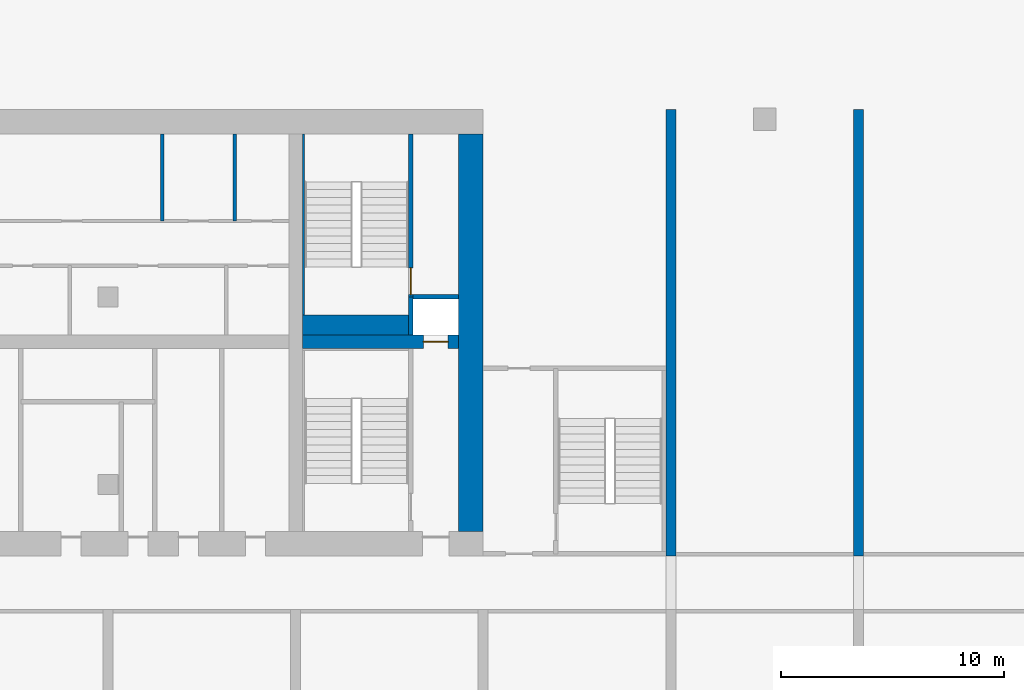
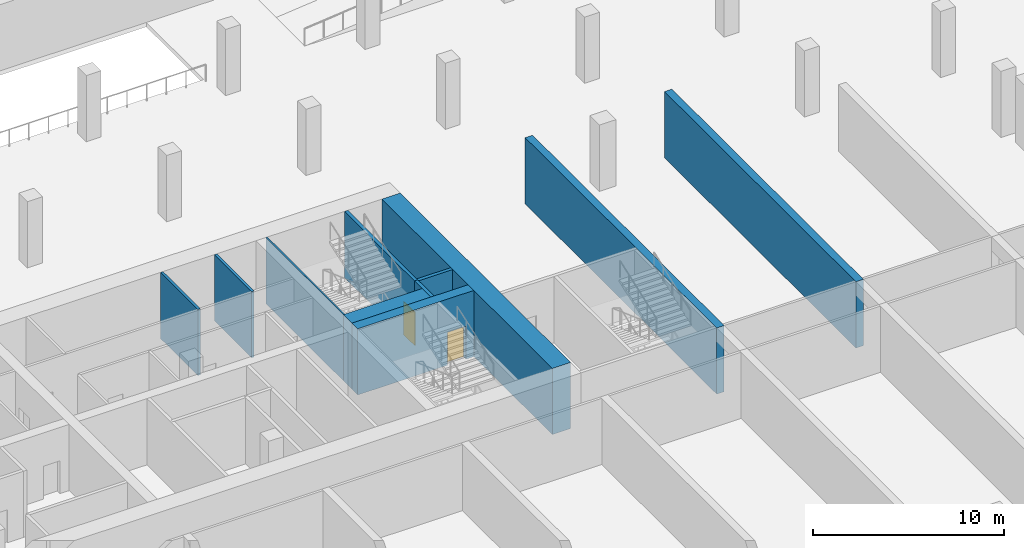
# One storey, part 8 of 12: 11 walls, 2 doors, 2 openings.
"""IFC4 building model written with IfcOpenShell, lengths in metres."""

from ifc_helpers import new_model, si_unit, direction, frame, frame_2d, origin, place, context, subcontext, project, spatial, rectangle, extrude, source, transform, mapped, material, layer, layer_set, type_object, element, fill, save


model = new_model("IFC4")

# Units and contexts
model_context = context("Model", 3, precision=1e-05, world=origin(), true_north=direction((0.0, 1.0)))
body_context = subcontext(model_context, "Body", "Model", "MODEL_VIEW")
ifc_project = project(units=[si_unit("LENGTHUNIT", "METRE"), si_unit("AREAUNIT", "SQUARE_METRE"), si_unit("VOLUMEUNIT", "CUBIC_METRE"), si_unit("PLANEANGLEUNIT", "RADIAN"), si_unit("MASSUNIT", "GRAM", prefix="KILO")], contexts=[model_context])

# Site, building, storey
site_placement = place(None, origin())
site = spatial("IfcSite", under=ifc_project, at=site_placement, CompositionType="ELEMENT")
building_placement = place(site_placement, origin())
building = spatial("IfcBuilding", under=site, at=building_placement, Name="Vanashikhar Sky Hotel", CompositionType="ELEMENT")
storey_placement = place(building_placement, frame((0.0, 0.0, -4.5)))
storey = spatial("IfcBuildingStorey", under=building, at=storey_placement, Name="B1", CompositionType="ELEMENT", Elevation=-4.5)

# Wall
ifc_material_1 = material(Name="Concrete M80", Category="concrete")
ifc_layer_1 = layer(ifc_material_1, 1.10009765625)
ifc_layer_set_1 = layer_set([ifc_layer_1], Name="RC core shell wall 1100 Concrete M80")
wall_type_1 = type_object("IfcWallType", Name="RC core shell wall 1100 Concrete M80", PredefinedType="SHEAR", material=ifc_layer_set_1)
shared_shape_1 = source(origin(), body_context, "Body", "SweptSolid", [
    extrude(rectangle(XDim=17.7998046875, YDim=1.10009765625, at=frame_2d((8.89990234375, 0.0))), origin(), (0.0, 0.0, 1.0), 4.219970703125),
])
wall_1_placement = place(storey_placement, frame((75.050048828125, 23.10009765625, 0.0), z_axis=(0.0, 0.0, 1.0), x_axis=(0.0, 1.0, 0.0)))
element("IfcWall", 1, at=wall_1_placement, inside=storey, type_object=wall_type_1, Name="KW-B1-KE", PredefinedType="SHEAR", context=body_context, shape_type="MappedRepresentation", body=[
    mapped(shared_shape_1, transform((0.0, 0.0, 0.0), scale=1.0)),
])

# Wall, opening, door
ifc_layer_2 = layer(ifc_material_1, 0.60009765625)
ifc_layer_set_2 = layer_set([ifc_layer_2], Name="RC core inner wall 600 Concrete M80")
wall_type_2 = type_object("IfcWallType", Name="RC core inner wall 600 Concrete M80", PredefinedType="SHEAR", material=ifc_layer_set_2)
shared_shape_2 = source(origin(), body_context, "Body", "SweptSolid", [
    extrude(rectangle(XDim=7.0, YDim=0.60009765625, at=frame_2d((3.5, 0.0))), origin(), (0.0, 0.0, 1.0), 4.219970703125),
])
wall_2_placement = place(storey_placement, frame((67.5, 31.60009765625, 0.0), z_axis=(0.0, 0.0, 1.0), x_axis=(1.0, 0.0, 0.0)))
wall_2 = element("IfcWall", 2, at=wall_2_placement, inside=storey, type_object=wall_type_2, Name="KW-B1-KY4", PredefinedType="SHEAR", context=body_context, shape_type="MappedRepresentation", body=[
    mapped(shared_shape_2, transform((0.0, 0.0, 0.0), scale=1.0)),
])
shared_shape_3 = source(origin(), body_context, "Body", "SweptSolid", [
    extrude(rectangle(XDim=1.10009765625, YDim=2.10009765625, at=frame_2d((0.550048828125, 1.050048828125))), frame((0.0, 0.31005859375, 0.0), z_axis=(0.0, -1.0, 0.0), x_axis=(1.0, 0.0, 0.0)), (0.0, 0.0, 1.0), 0.6201171875),
])
opening_1_placement = place(wall_2_placement, frame((5.425048828125, 0.0, 0.0)))
opening_1 = element("IfcOpeningElement", 3, at=opening_1_placement, cuts=wall_2, Name="Opening LD", PredefinedType="OPENING", context=body_context, shape_type="MappedRepresentation", body=[
    mapped(shared_shape_3, transform((0.0, 0.0, 0.0), scale=1.0)),
])
ifc_material_2 = material(Name="Stainless steel", Category="steel")
door_type_1 = type_object("IfcDoorType", Name="Lift landing door 1100", OperationType="NOTDEFINED", PredefinedType="DOOR", material=ifc_material_2)
shared_shape_4 = source(origin(), body_context, "Body", "SweptSolid", [
    extrude(rectangle(XDim=1.10009765625, YDim=2.10009765625, at=frame_2d((0.550048828125, 1.050048828125))), frame((0.0, 0.02490234375, 0.0), z_axis=(0.0, -1.0, 0.0), x_axis=(1.0, 0.0, 0.0)), (0.0, 0.0, 1.0), 0.050048828125),
])
door_1_placement = place(opening_1_placement, origin())
door_1 = element("IfcDoor", 4, at=door_1_placement, inside=storey, type_object=door_type_1, Name="Lift landing door 1100", OperationType="SLIDING_TO_RIGHT", OverallHeight=2.10009765625, OverallWidth=1.10009765625, PredefinedType="DOOR", context=body_context, shape_type="MappedRepresentation", body=[
    mapped(shared_shape_4, transform((0.0, 0.0, 0.0), scale=1.0)),
])
fill(opening_1, door_1)

# Walls
ifc_layer_3 = layer(ifc_material_1, 0.449951171875)
ifc_layer_set_3 = layer_set([ifc_layer_3], Name="RC shear wall 450 Concrete M80")
wall_type_3 = type_object("IfcWallType", Name="RC shear wall 450 Concrete M80", PredefinedType="SHEAR", material=ifc_layer_set_3)
shared_shape_5 = source(origin(), body_context, "Body", "SweptSolid", [
    extrude(rectangle(XDim=20.0, YDim=0.449951171875, at=frame_2d((10.0, 0.0))), origin(), (0.0, 0.0, 1.0), 4.219970703125),
])
for number, where, z_axis, x_axis, name in (
    (5, (84.0, 22.0, 0.0), (0.0, 0.0, 1.0), (0.0, 1.0, 0.0), "CW-B1-XW11-2"),
    (6, (92.39990234375, 22.0, 0.0), (0.0, 0.0, 1.0), (0.0, 1.0, 0.0), "CW-B1-XW12-2"),
):
    element("IfcWall", number, at=place(storey_placement, frame(where, z_axis=z_axis, x_axis=x_axis)), inside=storey, type_object=wall_type_3, Name=name, PredefinedType="SHEAR", context=body_context, shape_type="MappedRepresentation", body=[
        mapped(shared_shape_5, transform((0.0, 0.0, 0.0), scale=1.0)),
    ])
ifc_material_3 = material(Name="Gypsum board partition")
ifc_layer_4 = layer(ifc_material_3, 0.14990234375)
ifc_layer_set_4 = layer_set([ifc_layer_4], Name="Service partition 150")
wall_type_4 = type_object("IfcWallType", Name="Service partition 150", PredefinedType="PARTITIONING", material=ifc_layer_set_4)
shared_shape_6 = source(origin(), body_context, "Body", "SweptSolid", [
    extrude(rectangle(XDim=3.89990234375, YDim=0.14990234375, at=frame_2d((1.949951171875, 0.0))), origin(), (0.0, 0.0, 1.0), 4.219970703125),
])
for number, where, z_axis, x_axis, name in (
    (7, (64.469970703125, 37.0, 0.0), (0.0, 0.0, 1.0), (0.0, 1.0, 0.0), "Service partition 150"),
    (8, (61.22998046875, 37.0, 0.0), (0.0, 0.0, 1.0), (0.0, 1.0, 0.0), "Service partition 150"),
):
    element("IfcWall", number, at=place(storey_placement, frame(where, z_axis=z_axis, x_axis=x_axis)), inside=storey, type_object=wall_type_4, Name=name, PredefinedType="PARTITIONING", context=body_context, shape_type="MappedRepresentation", body=[
        mapped(shared_shape_6, transform((0.0, 0.0, 0.0), scale=1.0)),
    ])
ifc_material_4 = material(Name="Concrete M40", Category="concrete")
ifc_layer_5 = layer(ifc_material_4, 0.199951171875)
ifc_layer_set_5 = layer_set([ifc_layer_5], Name="Shaft wall 200")
wall_type_5 = type_object("IfcWallType", Name="Shaft wall 200", PredefinedType="SOLIDWALL", material=ifc_layer_set_5)
shared_shape_7 = source(origin(), body_context, "Body", "SweptSolid", [
    extrude(rectangle(XDim=1.7001953125, YDim=0.199951171875, at=frame_2d((0.85009765625, 0.0))), origin(), (0.0, 0.0, 1.0), 4.219970703125),
])
wall_3_placement = place(storey_placement, frame((72.35009765625, 31.89990234375, 0.0), z_axis=(0.0, 0.0, 1.0), x_axis=(0.0, 1.0, 0.0)))
element("IfcWall", 9, at=wall_3_placement, inside=storey, type_object=wall_type_5, Name="Shaft wall 200", PredefinedType="SOLIDWALL", context=body_context, shape_type="MappedRepresentation", body=[
    mapped(shared_shape_7, transform((0.0, 0.0, 0.0), scale=1.0)),
])
shared_shape_8 = source(origin(), body_context, "Body", "SweptSolid", [
    extrude(rectangle(XDim=2.050048828125, YDim=0.199951171875, at=frame_2d((1.02490234375, 0.0))), origin(), (0.0, 0.0, 1.0), 4.219970703125),
])
wall_4_placement = place(storey_placement, frame((72.449951171875, 33.60009765625, 0.0), z_axis=(0.0, 0.0, 1.0), x_axis=(1.0, 0.0, 0.0)))
element("IfcWall", 10, at=wall_4_placement, inside=storey, type_object=wall_type_5, Name="Shaft wall 200", PredefinedType="SOLIDWALL", context=body_context, shape_type="MappedRepresentation", body=[
    mapped(shared_shape_8, transform((0.0, 0.0, 0.0), scale=1.0)),
])

# Wall, opening, door
ifc_material_5 = material(Name="Concrete M50", Category="concrete")
ifc_layer_6 = layer(ifc_material_5, 0.199951171875)
ifc_layer_set_6 = layer_set([ifc_layer_6], Name="Stair wall 200")
wall_type_6 = type_object("IfcWallType", Name="Stair wall 200", PredefinedType="SOLIDWALL", material=ifc_layer_set_6)
shared_shape_9 = source(origin(), body_context, "Body", "SweptSolid", [
    extrude(rectangle(XDim=7.2998046875, YDim=0.199951171875, at=frame_2d((3.64990234375, 0.0))), origin(), (0.0, 0.0, 1.0), 4.219970703125),
])
wall_5_placement = place(storey_placement, frame((72.35009765625, 33.60009765625, 0.0), z_axis=(0.0, 0.0, 1.0), x_axis=(0.0, 1.0, 0.0)))
wall_5 = element("IfcWall", 11, at=wall_5_placement, inside=storey, type_object=wall_type_6, Name="Stair wall 200", PredefinedType="SOLIDWALL", context=body_context, shape_type="MappedRepresentation", body=[
    mapped(shared_shape_9, transform((0.0, 0.0, 0.0), scale=1.0)),
])
shared_shape_10 = source(origin(), body_context, "Body", "SweptSolid", [
    extrude(rectangle(XDim=1.199951171875, YDim=2.10009765625, at=frame_2d((0.60009765625, 1.050048828125))), frame((0.0, 0.10986328125, 0.0), z_axis=(0.0, -1.0, 0.0), x_axis=(1.0, 0.0, 0.0)), (0.0, 0.0, 1.0), 0.219970703125),
])
opening_2_placement = place(wall_5_placement, frame((0.10009765625, 0.0, 0.0)))
opening_2 = element("IfcOpeningElement", 12, at=opening_2_placement, cuts=wall_5, Name="Opening DC-1", PredefinedType="OPENING", context=body_context, shape_type="MappedRepresentation", body=[
    mapped(shared_shape_10, transform((0.0, 0.0, 0.0), scale=1.0)),
])
ifc_material_6 = material(Name="Steel", Category="steel")
door_type_2 = type_object("IfcDoorType", Name="Stair door 1200 FD120", OperationType="NOTDEFINED", PredefinedType="DOOR", material=ifc_material_6)
shared_shape_11 = source(origin(), body_context, "Body", "SweptSolid", [
    extrude(rectangle(XDim=1.199951171875, YDim=2.10009765625, at=frame_2d((0.60009765625, 1.050048828125))), frame((0.0, 0.02490234375, 0.0), z_axis=(0.0, -1.0, 0.0), x_axis=(1.0, 0.0, 0.0)), (0.0, 0.0, 1.0), 0.050048828125),
])
door_2_placement = place(opening_2_placement, origin())
door_2 = element("IfcDoor", 13, at=door_2_placement, inside=storey, type_object=door_type_2, Name="Stair door 1200 FD120", OperationType="SINGLE_SWING_RIGHT", OverallHeight=2.10009765625, OverallWidth=1.199951171875, PredefinedType="DOOR", context=body_context, shape_type="MappedRepresentation", body=[
    mapped(shared_shape_11, transform((0.0, 0.0, 0.0), scale=1.0)),
])
fill(opening_2, door_2)

# Walls
ifc_layer_7 = layer(ifc_material_5, 0.10009765625)
ifc_layer_set_7 = layer_set([ifc_layer_7], Name="Stair infill wall 100")
wall_type_7 = type_object("IfcWallType", Name="Stair infill wall 100", PredefinedType="SOLIDWALL", material=ifc_layer_set_7)
shared_shape_12 = source(origin(), body_context, "Body", "SweptSolid", [
    extrude(rectangle(XDim=8.099853515625, YDim=0.10009765625, at=frame_2d((4.0498046875, 0.0))), origin(), (0.0, 0.0, 1.0), 4.219970703125),
])
wall_6_placement = place(storey_placement, frame((67.550048828125, 32.800048828125, 0.0), z_axis=(0.0, 0.0, 1.0), x_axis=(0.0, 1.0, 0.0)))
element("IfcWall", 14, at=wall_6_placement, inside=storey, type_object=wall_type_7, Name="Stair infill wall 100", PredefinedType="SOLIDWALL", context=body_context, shape_type="MappedRepresentation", body=[
    mapped(shared_shape_12, transform((0.0, 0.0, 0.0), scale=1.0)),
])
ifc_layer_8 = layer(ifc_material_5, 0.89990234375)
ifc_layer_set_8 = layer_set([ifc_layer_8], Name="Stair infill wall 900")
wall_type_8 = type_object("IfcWallType", Name="Stair infill wall 900", PredefinedType="SOLIDWALL", material=ifc_layer_set_8)
shared_shape_13 = source(origin(), body_context, "Body", "SweptSolid", [
    extrude(rectangle(XDim=4.75, YDim=0.89990234375, at=frame_2d((2.375, 0.0))), origin(), (0.0, 0.0, 1.0), 4.219970703125),
])
wall_7_placement = place(storey_placement, frame((67.5, 32.35009765625, 0.0), z_axis=(0.0, 0.0, 1.0), x_axis=(1.0, 0.0, 0.0)))
element("IfcWall", 15, at=wall_7_placement, inside=storey, type_object=wall_type_8, Name="Stair infill wall 900", PredefinedType="SOLIDWALL", context=body_context, shape_type="MappedRepresentation", body=[
    mapped(shared_shape_13, transform((0.0, 0.0, 0.0), scale=1.0)),
])

save(model, "model.ifc")
